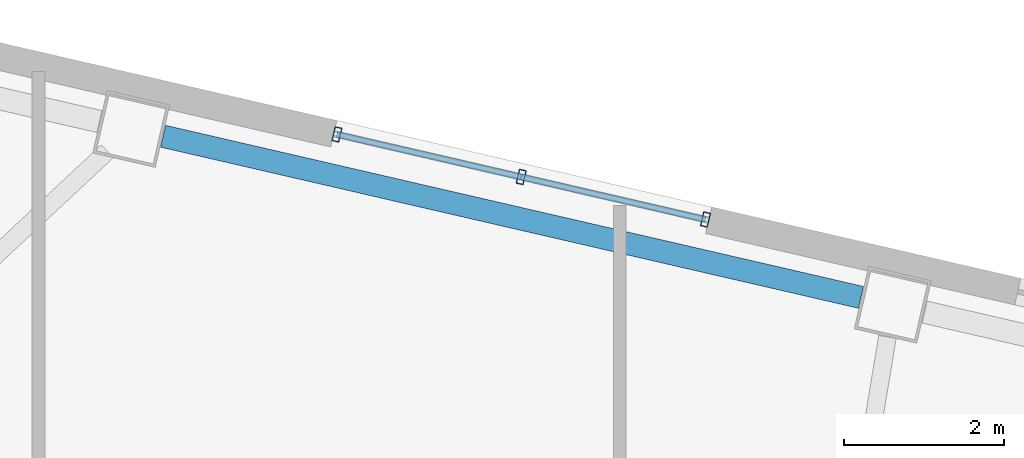
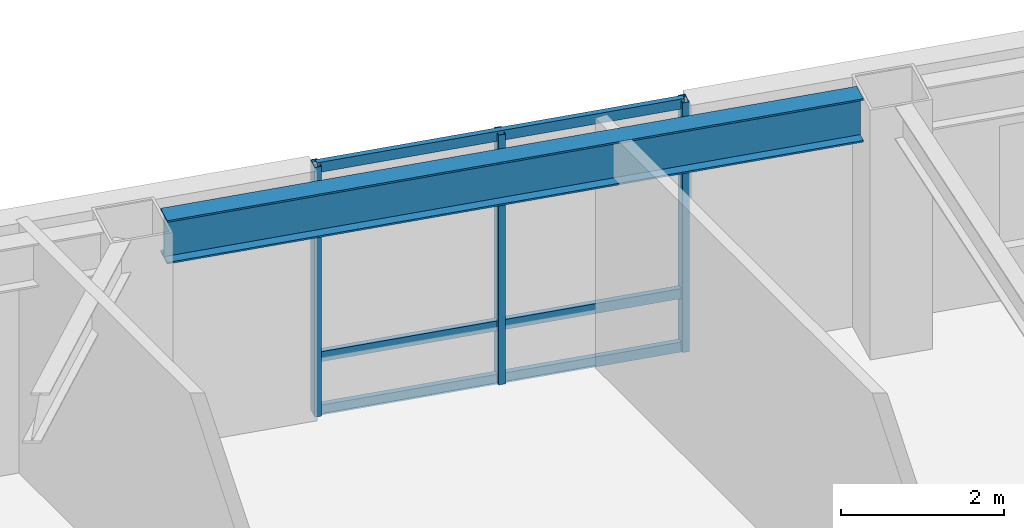
# One storey, part 8 of 20: 6 members, 1 beam, 1 element without a shape of its own.
"""IFC4 building model written with IfcOpenShell, lengths in metres."""

from ifc_helpers import new_model, si_unit, direction, frame, origin, origin_2d, place, context, subcontext, project, spatial, hollow_rectangle, i_section, extrude, material, layer, layer_set, material_profile, profile_set, type_object, element, aggregate, save


model = new_model("IFC4")

# Units and contexts
model_context = context("Model", 3, precision=1e-05, world=origin(), true_north=direction((0.0, 1.0)))
body_context = subcontext(model_context, "Body", "Model", "MODEL_VIEW")
ifc_project = project(units=[si_unit("LENGTHUNIT", "METRE"), si_unit("AREAUNIT", "SQUARE_METRE"), si_unit("VOLUMEUNIT", "CUBIC_METRE"), si_unit("PLANEANGLEUNIT", "RADIAN"), si_unit("MASSUNIT", "GRAM", prefix="KILO")], contexts=[model_context])

# Site, building, storey
site_placement = place(None, origin())
site = spatial("IfcSite", under=ifc_project, at=site_placement, CompositionType="ELEMENT")
building_placement = place(site_placement, origin())
building = spatial("IfcBuilding", under=site, at=building_placement, Name="Tavrogorsk Clinical Tower", CompositionType="ELEMENT")
storey_placement = place(building_placement, frame((0.0, 0.0, 67.39990234375)))
storey = spatial("IfcBuildingStorey", under=building, at=storey_placement, Name="L14", CompositionType="ELEMENT", Elevation=67.39990234375)

# Curtain wall, members
ifc_material_1 = material(Name="Anodised aluminium and triple IGU glazing", Category="aluminium")
ifc_layer = layer(ifc_material_1, 0.179931640625)
ifc_layer_set = layer_set([ifc_layer], Name="Anodised aluminium and triple IGU glazing")
curtain_wall_type = type_object("IfcCurtainWallType", Name="CW2_NorthSlot", PredefinedType="NOTDEFINED", material=ifc_layer_set)
curtain_wall_placement = place(storey_placement, origin())
curtain_wall = element("IfcCurtainWall", 1, at=curtain_wall_placement, inside=storey, type_object=curtain_wall_type, Name="L14 Curtain Wall CW-L14-N-SLOT-1", PredefinedType="NOTDEFINED")
ifc_material_2 = material(Name="Anodised aluminium alloy AW-6060", Category="aluminium")
ifc_material_profile_1 = material_profile(ifc_material_2, hollow_rectangle(XDim=0.090087890625, YDim=0.179931640625, WallThickness=0.00634765625, at=origin_2d()), Name="RHS-180x90x6.3")
ifc_profile_set_1 = profile_set([ifc_material_profile_1], Name="Anodised aluminium alloy AW-6060")
member_type_1 = type_object("IfcMemberType", Name="CwMullion_180x90", PredefinedType="MULLION", material=ifc_profile_set_1)
member_1_placement = place(storey_placement, frame((-3.879638671875, 24.640625, 0.0), z_axis=(0.0, 0.0, 1.0), x_axis=(-0.974370102963, 0.224950888978, 0.0)))
member_1 = element("IfcMember", 2, at=member_1_placement, type_object=member_type_1, Name="CW-L14-N-SLOT-1 Mullion 1", PredefinedType="MULLION", context=body_context, shape_type="SweptSolid", body=[
    extrude(hollow_rectangle(XDim=0.090087890625, YDim=0.179931640625, WallThickness=0.00634765625, at=origin_2d()), origin(), (0.0, 0.0, 1.0), 3.739990234375),
])
member_2_placement = place(storey_placement, frame((-6.17822265625, 25.171142578125, 0.0), z_axis=(0.0, 0.0, 1.0), x_axis=(-0.974370102963, 0.224950888978, 0.0)))
member_2 = element("IfcMember", 3, at=member_2_placement, type_object=member_type_1, Name="CW-L14-N-SLOT-1 Mullion 2", PredefinedType="MULLION", context=body_context, shape_type="SweptSolid", body=[
    extrude(hollow_rectangle(XDim=0.090087890625, YDim=0.179931640625, WallThickness=0.00634765625, at=origin_2d()), origin(), (0.0, 0.0, 1.0), 3.739990234375),
])
member_3_placement = place(storey_placement, frame((-8.476806640625, 25.701904296875, 0.0), z_axis=(0.0, 0.0, 1.0), x_axis=(-0.974370102963, 0.224950888978, 0.0)))
member_3 = element("IfcMember", 4, at=member_3_placement, type_object=member_type_1, Name="CW-L14-N-SLOT-1 Mullion 3", PredefinedType="MULLION", context=body_context, shape_type="SweptSolid", body=[
    extrude(hollow_rectangle(XDim=0.090087890625, YDim=0.179931640625, WallThickness=0.00634765625, at=origin_2d()), origin(), (0.0, 0.0, 1.0), 3.739990234375),
])
ifc_material_3 = material(Name="Anodised aluminium alloy AW-6060", Category="aluminium")
ifc_material_profile_2 = material_profile(ifc_material_3, hollow_rectangle(XDim=0.074951171875, YDim=0.14990234375, WallThickness=0.0048828125, at=origin_2d()), Name="RHS-150x75x5")
ifc_profile_set_2 = profile_set([ifc_material_profile_2], Name="Anodised aluminium alloy AW-6060")
member_type_2 = type_object("IfcMemberType", Name="CwTransom_150x75", PredefinedType="USERDEFINED", material=ifc_profile_set_2)
member_4_placement = place(storey_placement, frame((-3.879638671875, 24.640625, 0.050048828125), z_axis=(-0.974372877948, 0.22493886885, 0.0), x_axis=(-0.22493886885, -0.974372877948, 0.0)))
member_4 = element("IfcMember", 5, at=member_4_placement, type_object=member_type_2, Name="CW-L14-N-SLOT-1 Transom 1", ObjectType="TRANSOM", PredefinedType="USERDEFINED", context=body_context, shape_type="SweptSolid", body=[
    extrude(hollow_rectangle(XDim=0.074951171875, YDim=0.14990234375, WallThickness=0.0048828125, at=origin_2d()), origin(), (0.0, 0.0, 1.0), 4.718017578125),
])
member_5_placement = place(storey_placement, frame((-3.879638671875, 24.640625, 0.85009765625), z_axis=(-0.974372877948, 0.22493886885, 0.0), x_axis=(-0.22493886885, -0.974372877948, 0.0)))
member_5 = element("IfcMember", 6, at=member_5_placement, type_object=member_type_2, Name="CW-L14-N-SLOT-1 Transom 2", ObjectType="TRANSOM", PredefinedType="USERDEFINED", context=body_context, shape_type="SweptSolid", body=[
    extrude(hollow_rectangle(XDim=0.074951171875, YDim=0.14990234375, WallThickness=0.0048828125, at=origin_2d()), origin(), (0.0, 0.0, 1.0), 4.718017578125),
])
member_6_placement = place(storey_placement, frame((-3.879638671875, 24.640625, 3.690185546875), z_axis=(-0.974372877948, 0.22493886885, 0.0), x_axis=(-0.22493886885, -0.974372877948, 0.0)))
member_6 = element("IfcMember", 7, at=member_6_placement, type_object=member_type_2, Name="CW-L14-N-SLOT-1 Transom 3", ObjectType="TRANSOM", PredefinedType="USERDEFINED", context=body_context, shape_type="SweptSolid", body=[
    extrude(hollow_rectangle(XDim=0.074951171875, YDim=0.14990234375, WallThickness=0.0048828125, at=origin_2d()), origin(), (0.0, 0.0, 1.0), 4.718017578125),
])
aggregate(curtain_wall, [member_1, member_2, member_3, member_4, member_5, member_6])

# Beam
ifc_material_4 = material(Name="Structural steel S390", Category="steel")
ifc_material_profile_3 = material_profile(ifc_material_4, i_section(OverallWidth=0.280029296875, OverallDepth=0.64990234375, WebThickness=0.01611328125, FlangeThickness=0.02490234375, at=origin_2d()), Name="B-650x280x16x25")
ifc_profile_set_3 = profile_set([ifc_material_profile_3], Name="Structural steel S390")
beam_type = type_object("IfcBeamType", Name="SpandrelBeam_B650", PredefinedType="SPANDREL", material=ifc_profile_set_3)
beam_placement = place(storey_placement, frame((-1.941162109375, 23.669677734375, 3.4150390625), z_axis=(-0.974372766602, 0.224939351168, 0.0), x_axis=(-0.224939351168, -0.974372766602, 0.0)))
element("IfcBeam", 8, at=beam_placement, inside=storey, type_object=beam_type, Name="L14 Perimeter Spandrel N5-N6", PredefinedType="SPANDREL", context=body_context, shape_type="SweptSolid", body=[
    extrude(i_section(OverallWidth=0.280029296875, OverallDepth=0.64990234375, WebThickness=0.01611328125, FlangeThickness=0.02490234375, at=origin_2d()), origin(), (0.0, 0.0, 1.0), 8.9326171875),
])

save(model, "model.ifc")
